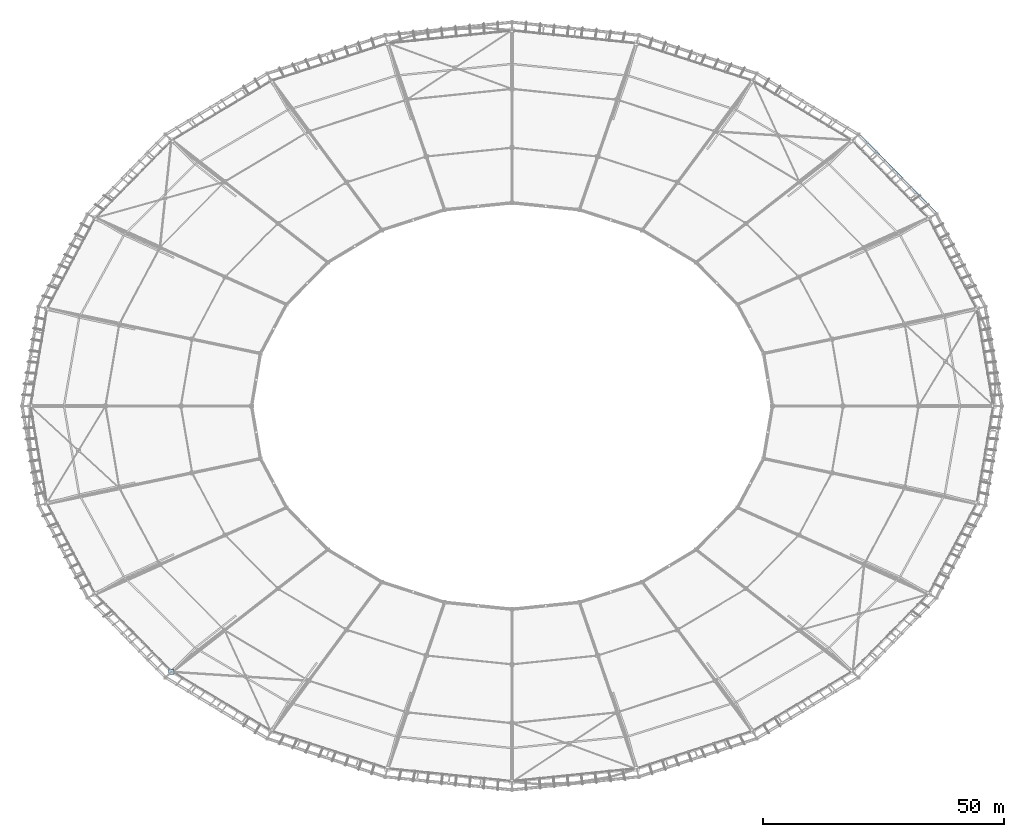
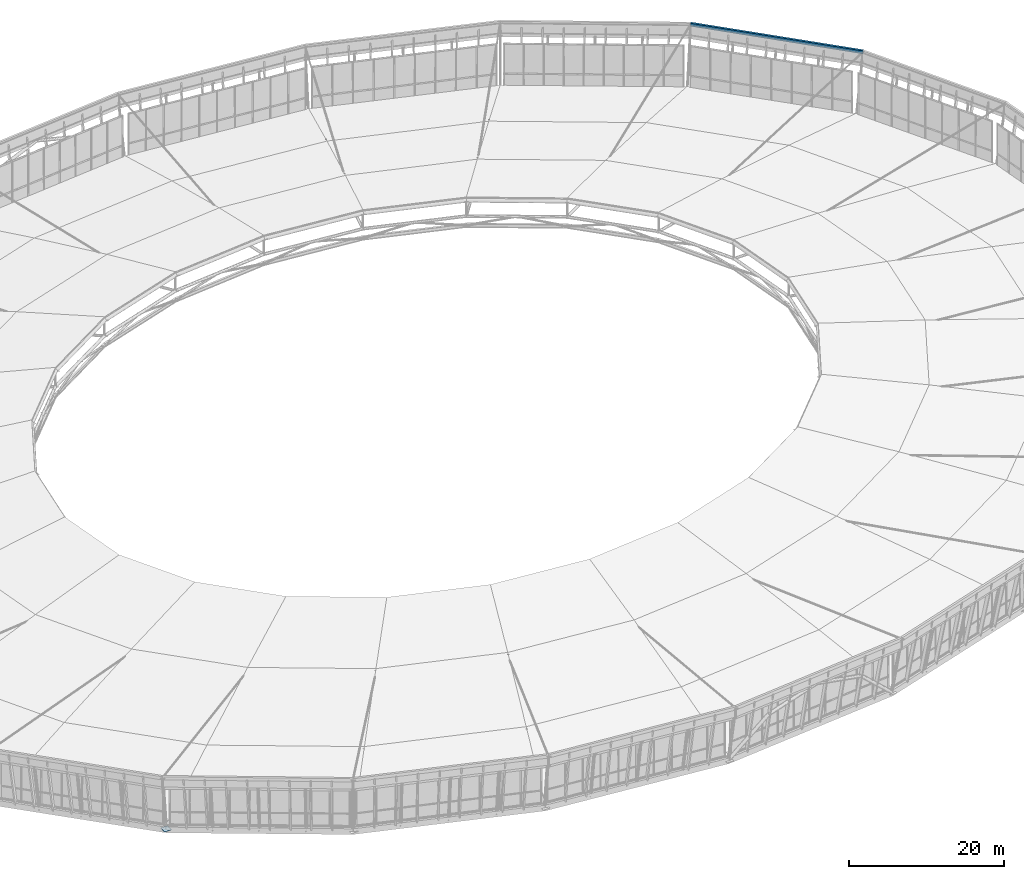
# One storey, part 78 of 115: 1 beam, 1 plate.
"""IFC4 building model written with IfcOpenShell, lengths in metres."""

import ifcopenshell
import ifcopenshell.guid

model = None  # the IFC model being written
_history = None  # IfcOwnerHistory: only IFC2X3 demands one
_inside = {}  # id of a spatial element -> (the spatial element, [elements in it])
_under = {}  # id of a project, library or spatial element -> (it, [spatial elements below it])
_declared = {}  # id of a project -> (the project, [libraries it declares])
_typed = {}  # id of a type object -> (the type object, [elements of that type])
_made_of = {}  # id of a material, layer set ... -> (it, [elements and type objects made of it])


def new_model(schema):
    """Start an empty IFC model of exactly this schema.

    Asked for "IFC4X3", IfcOpenShell would pick the latest addendum, in which some entities
    have other attributes; the version numbers below select the first issue.
    IFC2X3 requires an IfcOwnerHistory on every rooted entity: one is made here for all.
    """
    global model, _history
    if schema == "IFC4X3":
        model = ifcopenshell.file(schema_version=(4, 3, 0, 0))
    else:
        model = ifcopenshell.file(schema=schema)
    _inside.clear()
    _under.clear()
    _declared.clear()
    _typed.clear()
    _made_of.clear()
    _history = None
    if model.schema == "IFC2X3":
        org = make("IfcOrganization", Name="unknown")
        user = make(
            "IfcPersonAndOrganization",
            ThePerson=make("IfcPerson", FamilyName="unknown"),
            TheOrganization=org,
        )
        app = make(
            "IfcApplication",
            ApplicationDeveloper=org,
            Version="unknown",
            ApplicationFullName="unknown",
            ApplicationIdentifier="unknown",
        )
        _history = make(
            "IfcOwnerHistory",
            OwningUser=user,
            OwningApplication=app,
            ChangeAction="ADDED",
            CreationDate=0,
        )
    return model


def make(cls, **values):
    """One entity of the class cls with the attributes given. An attribute that is None is left unset."""
    return model.create_entity(
        cls, **{name: value for name, value in values.items() if value is not None}
    )


def rooted(cls, **values):
    """An entity with a GlobalId (a new one), such as an element, a storey or a relation."""
    return make(cls, GlobalId=ifcopenshell.guid.new(), OwnerHistory=_history, **values)


def si_unit(unit_type, name, prefix=None):
    """IfcSIUnit, for example si_unit("LENGTHUNIT", "METRE", prefix="MILLI")."""
    return make("IfcSIUnit", UnitType=unit_type, Prefix=prefix, Name=name)


def assignment(units):
    """IfcUnitAssignment: the units of a project."""
    return None if units is None else make("IfcUnitAssignment", Units=units)


def point(xyz):
    """IfcCartesianPoint."""
    return None if xyz is None else make("IfcCartesianPoint", Coordinates=xyz)


def direction(xyz):
    """IfcDirection."""
    return None if xyz is None else make("IfcDirection", DirectionRatios=xyz)


def frame(location, z_axis=None, x_axis=None):
    """IfcAxis2Placement3D, a coordinate frame: its origin and axes. An axis left out is left unset."""
    return make(
        "IfcAxis2Placement3D",
        Location=point(location),
        Axis=direction(z_axis),
        RefDirection=direction(x_axis),
    )


def frame_2d(location, x_axis=None):
    """IfcAxis2Placement2D, a coordinate frame in the plane: its origin and x axis."""
    return make(
        "IfcAxis2Placement2D", Location=point(location), RefDirection=direction(x_axis)
    )


def origin():
    """The frame at (0, 0, 0) with its axes left unset."""
    return frame((0.0, 0.0, 0.0))


def origin_2d():
    """The frame at (0, 0) in the plane with its x axis left unset."""
    return frame_2d((0.0, 0.0))


def place(relative_to, where):
    """IfcLocalPlacement: puts the frame where relative to a parent placement (None: the world)."""
    return make(
        "IfcLocalPlacement", PlacementRelTo=relative_to, RelativePlacement=where
    )


def context(
    kind, dimensions, precision=None, world=None, true_north=None, identifier=None
):
    """IfcGeometricRepresentationContext, for example the 3D "Model" context."""
    return make(
        "IfcGeometricRepresentationContext",
        ContextIdentifier=identifier,
        ContextType=kind,
        CoordinateSpaceDimension=dimensions,
        Precision=precision,
        WorldCoordinateSystem=world,
        TrueNorth=true_north,
    )


def subcontext(parent, identifier, kind, view, scale=None):
    """IfcGeometricRepresentationSubContext, for example "Body" below "Model"."""
    return make(
        "IfcGeometricRepresentationSubContext",
        ContextIdentifier=identifier,
        ContextType=kind,
        ParentContext=parent,
        TargetScale=scale,
        TargetView=view,
    )


def project(units=None, contexts=None):
    """IfcProject with its units and contexts."""
    return rooted(
        "IfcProject",
        Name="project",
        RepresentationContexts=contexts,
        UnitsInContext=assignment(units),
    )


def spatial(cls, under=None, at=None, **own):
    """A site, building, storey or space (cls), placed at a placement, below another one or the project."""
    s = rooted(cls, ObjectPlacement=at, **own)
    if under is not None:
        _under.setdefault(under.id(), (under, []))[1].append(s)
    return s


def profile(cls, at=None, kind="AREA", **sizes):
    """A parametric profile (cls). Its sizes go by their IFC names, for example OverallWidth=200.0."""
    return make(cls, ProfileType=kind, Position=at, **sizes)


def rectangle(**sizes):
    """IfcRectangleProfileDef."""
    return profile("IfcRectangleProfileDef", **sizes)


def hollow_rectangle(**sizes):
    """IfcRectangleHollowProfileDef."""
    return profile("IfcRectangleHollowProfileDef", **sizes)


def extrude(swept, where, along, depth):
    """IfcExtrudedAreaSolid: the profile swept, set in the frame where, extruded along a direction by depth."""
    return make(
        "IfcExtrudedAreaSolid",
        SweptArea=swept,
        Position=where,
        ExtrudedDirection=direction(along),
        Depth=depth,
    )


def shape(context_of_items, identifier, shape_type, items):
    """IfcShapeRepresentation: the items that make up one representation, for example the "Body"."""
    return make(
        "IfcShapeRepresentation",
        ContextOfItems=context_of_items,
        RepresentationIdentifier=identifier,
        RepresentationType=shape_type,
        Items=items,
    )


def material(Name=None, Category=None):
    """IfcMaterial."""
    return make("IfcMaterial", Name=Name, Category=Category)


def layer(
    of_material, thickness, ventilated=None, Name=None, Category=None, Priority=None
):
    """IfcMaterialLayer: one layer of a wall or slab, of a material (None: an air gap)."""
    return make(
        "IfcMaterialLayer",
        Material=of_material,
        LayerThickness=thickness,
        IsVentilated=ventilated,
        Name=Name,
        Category=Category,
        Priority=Priority,
    )


def layer_set(layers, Name=None):
    """IfcMaterialLayerSet."""
    return make("IfcMaterialLayerSet", MaterialLayers=layers, LayerSetName=Name)


def material_profile(
    of_material, cross_section, Name=None, Category=None, Priority=None
):
    """IfcMaterialProfile: a cross section and its material."""
    return make(
        "IfcMaterialProfile",
        Name=Name,
        Material=of_material,
        Profile=cross_section,
        Priority=Priority,
        Category=Category,
    )


def profile_set(profiles, Name=None, composite=None):
    """IfcMaterialProfileSet."""
    return make(
        "IfcMaterialProfileSet",
        Name=Name,
        MaterialProfiles=profiles,
        CompositeProfile=composite,
    )


def made_of(thing, what):
    """Note that an element or type object is made of a material, layer set ...; save() writes the relation."""
    if what is not None:
        _made_of.setdefault(what.id(), (what, []))[1].append(thing)
    return thing


def type_object(cls, material=None, **own):
    """A type object (cls), such as IfcWallType, which elements share."""
    return made_of(rooted(cls, **own), material)


def element(
    cls,
    number,
    at=None,
    inside=None,
    cuts=None,
    type_object=None,
    material=None,
    context=None,
    identifier="Body",
    shape_type=None,
    held_by="IfcProductDefinitionShape",
    body=None,
    shapes=None,
    **own,
):
    """One element of the class cls, such as IfcWall. Its Tag is "e" and its number.

    at: its placement. inside: the storey or other place that contains it. cuts: it is an
    opening in that element (IfcRelVoidsElement). A single representation is given by context,
    identifier, shape_type and body (its items); several are given by shapes. held_by: the class
    of the entity that holds the representations. save() writes the other relations.
    """
    e = rooted(cls, Tag="e%d" % number, ObjectPlacement=at, **own)
    if body is not None:
        shapes = [shape(context, identifier, shape_type, body)]
    if shapes is not None:
        e.Representation = make(held_by, Representations=shapes)
    if inside is not None:
        _inside.setdefault(inside.id(), (inside, []))[1].append(e)
    if cuts is not None:
        rooted(
            "IfcRelVoidsElement", RelatingBuildingElement=cuts, RelatedOpeningElement=e
        )
    if type_object is not None:
        _typed.setdefault(type_object.id(), (type_object, []))[1].append(e)
    return made_of(e, material)


def aggregate(whole, parts):
    """IfcRelAggregates: a whole, such as a stair, and the parts it consists of."""
    return rooted("IfcRelAggregates", RelatingObject=whole, RelatedObjects=parts)


def save(model, path):
    """Write the relations noted so far, then the file.

    IfcRelAggregates (storeys below a building ...), IfcRelContainedInSpatialStructure (elements
    in a storey), IfcRelDefinesByType, IfcRelAssociatesMaterial and IfcRelDeclares: one each for
    every whole, place, type object, material and project.
    """
    for whole, parts in _under.values():
        aggregate(whole, parts)
    for where, things in _inside.values():
        rooted(
            "IfcRelContainedInSpatialStructure",
            RelatedElements=things,
            RelatingStructure=where,
        )
    for kind, things in _typed.values():
        rooted("IfcRelDefinesByType", RelatedObjects=things, RelatingType=kind)
    for what, things in _made_of.values():
        rooted("IfcRelAssociatesMaterial", RelatedObjects=things, RelatingMaterial=what)
    for by, libraries in _declared.values():
        rooted("IfcRelDeclares", RelatingContext=by, RelatedDefinitions=libraries)
    model.write(path)


model = new_model("IFC4")

# Units and contexts
model_context = context("Model", 3, precision=1e-05, world=origin(), true_north=direction((0.0, 1.0)))
body_context = subcontext(model_context, "Body", "Model", "MODEL_VIEW")
ifc_project = project(units=[si_unit("LENGTHUNIT", "METRE"), si_unit("AREAUNIT", "SQUARE_METRE"), si_unit("VOLUMEUNIT", "CUBIC_METRE"), si_unit("PLANEANGLEUNIT", "RADIAN"), si_unit("MASSUNIT", "GRAM", prefix="KILO")], contexts=[model_context])

# Site, building, storey
site_placement = place(None, origin())
site = spatial("IfcSite", under=ifc_project, at=site_placement, CompositionType="ELEMENT")
building_placement = place(site_placement, origin())
building = spatial("IfcBuilding", under=site, at=building_placement, Name="Zlatoyarsky Gate Stadium", CompositionType="ELEMENT")
storey_placement = place(building_placement, frame((0.0, 0.0, 31.800048828125)))
storey = spatial("IfcBuildingStorey", under=building, at=storey_placement, Name="RF", CompositionType="ELEMENT", Elevation=31.800048828125)

# Beam
ifc_material = material(Name="Steel S355", Category="steel")
ifc_material_profile = material_profile(ifc_material, hollow_rectangle(XDim=0.300048828125, YDim=0.5, WallThickness=0.02001953125, at=origin_2d()), Name="RHS 500X300X20")
ifc_profile_set = profile_set([ifc_material_profile], Name="Steel S355")
beam_type = type_object("IfcBeamType", Name="STEEL LOUVRE CARRIER SPANDREL RHS 500X300X20", PredefinedType="SPANDREL", material=ifc_profile_set)
beam_placement = place(storey_placement, frame((199.19970703125, 119.922119140625, 8.849853515625), z_axis=(-0.699474513412, 0.714657543924, 0.0), x_axis=(-0.714657543924, -0.699474513412, 0.0)))
element("IfcBeam", 1, at=beam_placement, inside=storey, type_object=beam_type, Name="Crown fascia top carrier spandrel 02", PredefinedType="SPANDREL", context=body_context, shape_type="SweptSolid", body=[
    extrude(hollow_rectangle(XDim=0.300048828125, YDim=0.5, WallThickness=0.02001953125, at=origin_2d()), origin(), (0.0, 0.0, 1.0), 23.138916015625),
])

# Plate
ifc_layer = layer(ifc_material, 0.02392578125)
ifc_layer_set = layer_set([ifc_layer], Name="Steel S355")
plate_type = type_object("IfcPlateType", Name="STEEL COMPRESSION RING NODE CAP SHEET 24", PredefinedType="SHEET", material=ifc_layer_set)
plate_placement = place(storey_placement, frame((40.269775390625, 24.826171875, -0.4619140625), z_axis=(0.0, 0.0, 1.0), x_axis=(1.0, 0.0, 0.0)))
element("IfcPlate", 2, at=plate_placement, inside=storey, type_object=plate_type, Name="Node closure plate ND-CR1 NCAP-CR-15", PredefinedType="SHEET", context=body_context, shape_type="SweptSolid", body=[
    extrude(rectangle(XDim=1.050048828125, YDim=1.050048828125, at=origin_2d()), origin(), (0.0, 0.0, 1.0), 0.02392578125),
])

save(model, "model.ifc")
